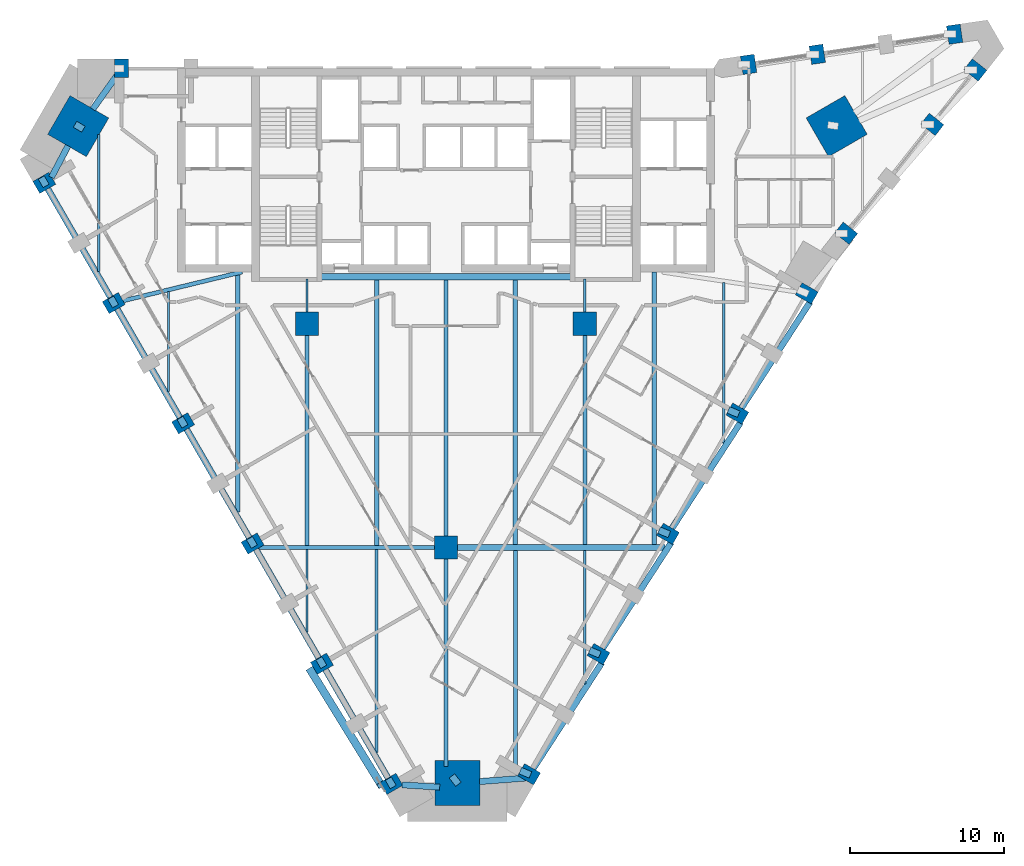
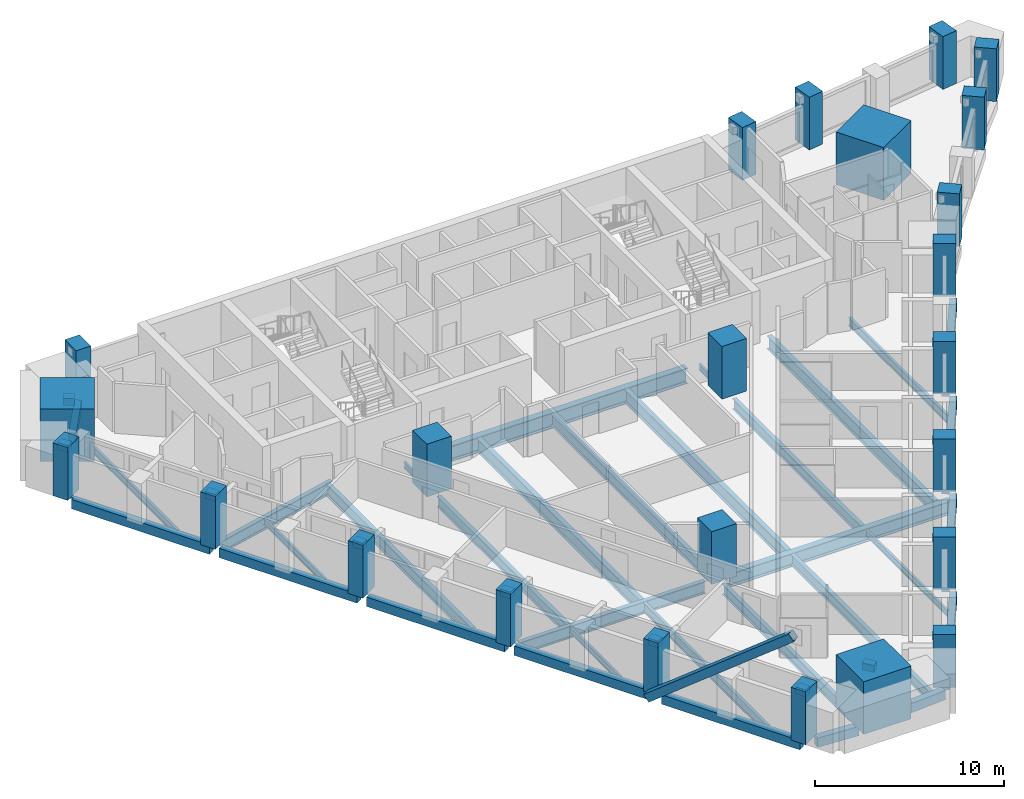
# One storey, part 1 of 11: 46 beams, 24 columns, 1 member.
"""IFC4 building model written with IfcOpenShell, lengths in metres."""

from ifc_helpers import new_model, si_unit, direction, frame, origin, origin_2d, place, context, subcontext, project, spatial, rectangle, hollow_rectangle, i_section, extrude, material, material_profile, profile_set, type_object, element, save


model = new_model("IFC4")

# Units and contexts
model_context = context("Model", 3, precision=1e-05, world=origin(), true_north=direction((0.0, 1.0)))
body_context = subcontext(model_context, "Body", "Model", "MODEL_VIEW")
ifc_project = project(units=[si_unit("LENGTHUNIT", "METRE"), si_unit("AREAUNIT", "SQUARE_METRE"), si_unit("VOLUMEUNIT", "CUBIC_METRE"), si_unit("PLANEANGLEUNIT", "RADIAN"), si_unit("MASSUNIT", "GRAM", prefix="KILO")], contexts=[model_context])

# Site, building, storey
site_placement = place(None, origin())
site = spatial("IfcSite", under=ifc_project, at=site_placement, CompositionType="ELEMENT")
building_placement = place(site_placement, origin())
building = spatial("IfcBuilding", under=site, at=building_placement, Name="Calabash Gate Tower", CompositionType="ELEMENT")
storey_placement = place(building_placement, frame((0.0, 0.0, 119.0)))
storey = spatial("IfcBuildingStorey", under=building, at=storey_placement, Name="L27", CompositionType="ELEMENT", Elevation=119.0)

# Columns
ifc_material_1 = material(Name="Concrete C80/95", Category="concrete")
ifc_material_profile_1 = material_profile(ifc_material_1, rectangle(XDim=1.5, YDim=1.5, at=origin_2d()))
ifc_profile_set_1 = profile_set([ifc_material_profile_1], Name="Concrete C80/95")
column_type_1 = type_object("IfcColumnType", Name="Interior column RC 1500x1500 Concrete C80/95", PredefinedType="COLUMN", material=ifc_profile_set_1)
for number, where, z_axis, x_axis, name in (
    (1, (-9.0, 2.5, 0.0), (0.0, 0.0, 1.0), (1.0, 0.0, 0.0), "Interior column L27 I0"),
    (2, (9.0, 2.5, 0.0), (0.0, 0.0, 1.0), (1.0, 0.0, 0.0), "Interior column L27 I1"),
    (3, (0.0, -12.0, 0.0), (0.0, 0.0, 1.0), (1.0, 0.0, 0.0), "Interior column L27 I2"),
):
    element("IfcColumn", number, at=place(storey_placement, frame(where, z_axis=z_axis, x_axis=x_axis)), inside=storey, type_object=column_type_1, Name=name, PredefinedType="COLUMN", context=body_context, shape_type="SweptSolid", body=[
        extrude(rectangle(XDim=1.5, YDim=1.5, at=origin_2d()), origin(), (0.0, 0.0, 1.0), 3.39990234375),
    ])
ifc_material_2 = material(Name="Concrete C80/95", Category="concrete")
ifc_material_profile_2 = material_profile(ifc_material_2, rectangle(XDim=2.89990234375, YDim=2.89990234375, at=origin_2d()))
ifc_profile_set_2 = profile_set([ifc_material_profile_2], Name="Concrete C80/95")
column_type_2 = type_object("IfcColumnType", Name="Mega column RC 2900x2900 Concrete C80/95", PredefinedType="COLUMN", material=ifc_profile_set_2)
for number, where, z_axis, x_axis, name in (
    (4, (-23.843017578125, 15.31298828125, 0.0), (0.0, 0.0, 1.0), (0.866025377604, -0.500000045345, 0.0), "Mega column L27 NW"),
    (5, (25.3291015625, 15.31298828125, 0.0), (0.0, 0.0, 1.0), (-0.866025377604, -0.500000045345, 0.0), "Mega column L27 NE"),
    (6, (0.742919921875, -27.27197265625, 0.0), (0.0, 0.0, 1.0), (0.0, 1.0, 0.0), "Mega column L27 S"),
):
    element("IfcColumn", number, at=place(storey_placement, frame(where, z_axis=z_axis, x_axis=x_axis)), inside=storey, type_object=column_type_2, Name=name, PredefinedType="COLUMN", context=body_context, shape_type="SweptSolid", body=[
        extrude(rectangle(XDim=2.89990234375, YDim=2.89990234375, at=origin_2d()), origin(), (0.0, 0.0, 1.0), 3.39990234375),
    ])
ifc_material_3 = material(Name="Concrete C70/85", Category="concrete")
ifc_material_profile_3 = material_profile(ifc_material_3, rectangle(XDim=0.89990234375, YDim=1.199951171875, at=origin_2d()))
ifc_profile_set_3 = profile_set([ifc_material_profile_3], Name="Concrete C70/85")
column_type_3 = type_object("IfcColumnType", Name="Perimeter column RC 900x1200 Concrete C70/85", PredefinedType="COLUMN", material=ifc_profile_set_3)
for number, where, z_axis, x_axis, name in (
    (7, (-26.0390625, 11.635986328125, 0.0), (0.0, 0.0, 1.0), (0.5, -0.866025403784, 0.0), "Perimeter column L27 P20"),
    (8, (-21.5390625, 3.842041015625, 0.0), (0.0, 0.0, 1.0), (0.5, -0.866025403784, 0.0), "Perimeter column L27 P00"),
    (9, (-17.0390625, -3.951904296875, 0.0), (0.0, 0.0, 1.0), (0.5, -0.866025403784, 0.0), "Perimeter column L27 P01"),
    (10, (-12.5390625, -11.7470703125, 0.0), (0.0, 0.0, 1.0), (0.5, -0.866025403784, 0.0), "Perimeter column L27 P02"),
    (11, (-8.0390625, -19.541015625, 0.0), (0.0, 0.0, 1.0), (0.5, -0.866025403784, 0.0), "Perimeter column L27 P03"),
    (12, (-3.5390625, -27.3330078125, 0.0), (0.0, 0.0, 1.0), (0.5, -0.866025403784, 0.0), "Perimeter column L27 P05"),
    (13, (5.386962890625, -26.7080078125, 0.0), (0.0, 0.0, 1.0), (0.5, 0.866025403784, 0.0), "Perimeter column L27 P08"),
    (14, (9.886962890625, -18.9140625, 0.0), (0.0, 0.0, 1.0), (0.5, 0.866025403784, 0.0), "Perimeter column L27 P09"),
    (15, (14.386962890625, -11.118896484375, 0.0), (0.0, 0.0, 1.0), (0.5, 0.866025403784, 0.0), "Perimeter column L27 P10"),
    (16, (18.886962890625, -3.322998046875, 0.0), (0.0, 0.0, 1.0), (0.5, 0.866025403784, 0.0), "Perimeter column L27 P11"),
    (17, (23.386962890625, 4.468994140625, 0.0), (0.0, 0.0, 1.0), (0.5, 0.866025403784, 0.0), "Perimeter column L27 P12"),
    (18, (25.943115234375, 8.366943359375, 0.0), (0.0, 0.0, 1.0), (0.620301172202, 0.784363726701, 0.0), "Perimeter column L27 P13"),
    (19, (31.52587890625, 15.424072265625, 0.0), (0.0, 0.0, 1.0), (0.620301172202, 0.784363726701, 0.0), "Perimeter column L27 P21"),
    (20, (34.31689453125, 18.9541015625, 0.0), (0.0, 0.0, 1.0), (0.620301172202, 0.784363726701, 0.0), "Perimeter column L27 P22"),
    (21, (32.97607421875, 21.27587890625, 0.0), (0.0, 0.0, 1.0), (-0.989429504293, -0.145014675236, 0.0), "Perimeter column L27 P23"),
    (22, (24.072021484375, 19.970947265625, 0.0), (0.0, 0.0, 1.0), (-0.989429504293, -0.145014675236, 0.0), "Perimeter column L27 P16"),
    (23, (19.618896484375, 19.318115234375, 0.0), (0.0, 0.0, 1.0), (-0.989429504293, -0.145014675236, 0.0), "Perimeter column L27 P24"),
    (24, (-21.032958984375, 19.052978515625, 0.0), (0.0, 0.0, 1.0), (-1.0, 0.0, 0.0), "Perimeter column L27 P17"),
):
    element("IfcColumn", number, at=place(storey_placement, frame(where, z_axis=z_axis, x_axis=x_axis)), inside=storey, type_object=column_type_3, Name=name, PredefinedType="COLUMN", context=body_context, shape_type="SweptSolid", body=[
        extrude(rectangle(XDim=0.89990234375, YDim=1.199951171875, at=origin_2d()), origin(), (0.0, 0.0, 1.0), 3.39990234375),
    ])

# Beams
ifc_material_4 = material(Name="Concrete C80/95", Category="concrete")
ifc_material_profile_4 = material_profile(ifc_material_4, rectangle(XDim=0.449951171875, YDim=0.449951171875, at=origin_2d()))
ifc_profile_set_4 = profile_set([ifc_material_profile_4], Name="Concrete C80/95")
beam_type_1 = type_object("IfcBeamType", Name="Column offset link RC 450x450 Concrete C80/95", PredefinedType="BEAM", material=ifc_profile_set_4)
beam_1_placement = place(storey_placement, frame((-23.50390625, 15.116943359375, 3.00390625), z_axis=(-0.86589493345, 0.500225913189, 0.0), x_axis=(-0.500225913189, -0.86589493345, 0.0)))
element("IfcBeam", 25, at=beam_1_placement, inside=storey, type_object=beam_type_1, Name="Column offset link L27 NW", PredefinedType="BEAM", context=body_context, shape_type="SweptSolid", body=[
    extrude(rectangle(XDim=0.449951171875, YDim=0.449951171875, at=origin_2d()), origin(), (0.0, 0.0, 1.0), 0.629638671875),
])
beam_2_placement = place(storey_placement, frame((-21.423095703125, 3.64111328125, 3.00390625), z_axis=(-0.49972245349, 0.866185586049, 0.0), x_axis=(-0.866185586049, -0.49972245349, 0.0)))
element("IfcBeam", 26, at=beam_2_placement, inside=storey, type_object=beam_type_1, Name="Column offset link L27 P00", PredefinedType="BEAM", context=body_context, shape_type="SweptSolid", body=[
    extrude(rectangle(XDim=0.449951171875, YDim=0.449951171875, at=origin_2d()), origin(), (0.0, 0.0, 1.0), 0.630126953125),
])
beam_3_placement = place(storey_placement, frame((-16.923095703125, -4.153076171875, 3.00390625), z_axis=(-0.499554821267, 0.866282275329, 0.0), x_axis=(-0.866282275329, -0.499554821267, 0.0)))
element("IfcBeam", 27, at=beam_3_placement, inside=storey, type_object=beam_type_1, Name="Column offset link L27 P01", PredefinedType="BEAM", context=body_context, shape_type="SweptSolid", body=[
    extrude(rectangle(XDim=0.449951171875, YDim=0.449951171875, at=origin_2d()), origin(), (0.0, 0.0, 1.0), 0.63037109375),
])
for number, where, z_axis, x_axis, name in (
    (28, (-12.423095703125, -11.947021484375, 3.00390625), (-0.500393920955, 0.865797853931, 0.0), (-0.865797853931, -0.500393920955, 0.0), "Column offset link L27 P02"),
    (29, (-7.923095703125, -19.740966796875, 3.00390625), (-0.500393920955, 0.865797853931, 0.0), (-0.865797853931, -0.500393920955, 0.0), "Column offset link L27 P03"),
):
    element("IfcBeam", number, at=place(storey_placement, frame(where, z_axis=z_axis, x_axis=x_axis)), inside=storey, type_object=beam_type_1, Name=name, PredefinedType="BEAM", context=body_context, shape_type="SweptSolid", body=[
        extrude(rectangle(XDim=0.449951171875, YDim=0.449951171875, at=origin_2d()), origin(), (0.0, 0.0, 1.0), 0.62939453125),
    ])
beam_4_placement = place(storey_placement, frame((-3.423095703125, -27.535888671875, 3.00390625), z_axis=(-0.49972245349, 0.866185586049, 0.0), x_axis=(-0.866185586049, -0.49972245349, 0.0)))
element("IfcBeam", 30, at=beam_4_placement, inside=storey, type_object=beam_type_1, Name="Column offset link L27 P05", PredefinedType="BEAM", context=body_context, shape_type="SweptSolid", body=[
    extrude(rectangle(XDim=0.449951171875, YDim=0.449951171875, at=origin_2d()), origin(), (0.0, 0.0, 1.0), 0.630126953125),
])
for number, where, z_axis, x_axis, name in (
    (31, (5.47900390625, -26.7470703125, 3.00390625), (-0.922112578583, 0.386921687709, 0.0), (-0.386921687709, -0.922112578583, 0.0), "Column offset link L27 P08"),
    (32, (9.97900390625, -18.951904296875, 3.00390625), (-0.922233326358, 0.386633795412, 0.0), (-0.386633795412, -0.922233326358, 0.0), "Column offset link L27 P09"),
    (33, (14.47900390625, -11.157958984375, 3.00390625), (-0.922112578583, 0.386921687709, 0.0), (-0.386921687709, -0.922112578583, 0.0), "Column offset link L27 P10"),
):
    element("IfcBeam", number, at=place(storey_placement, frame(where, z_axis=z_axis, x_axis=x_axis)), inside=storey, type_object=beam_type_1, Name=name, PredefinedType="BEAM", context=body_context, shape_type="SweptSolid", body=[
        extrude(rectangle(XDim=0.449951171875, YDim=0.449951171875, at=origin_2d()), origin(), (0.0, 0.0, 1.0), 0.72119140625),
    ])
beam_5_placement = place(storey_placement, frame((18.97900390625, -3.364013671875, 3.00390625), z_axis=(-0.9211445087, 0.389220752391, 0.0), x_axis=(-0.389220752391, -0.9211445087, 0.0)))
element("IfcBeam", 34, at=beam_5_placement, inside=storey, type_object=beam_type_1, Name="Column offset link L27 P11", PredefinedType="BEAM", context=body_context, shape_type="SweptSolid", body=[
    extrude(rectangle(XDim=0.449951171875, YDim=0.449951171875, at=origin_2d()), origin(), (0.0, 0.0, 1.0), 0.721923828125),
])
beam_6_placement = place(storey_placement, frame((-25.923095703125, 11.43701171875, 3.00390625), z_axis=(-0.501066892863, 0.865408556045, 0.0), x_axis=(-0.865408556045, -0.501066892863, 0.0)))
element("IfcBeam", 35, at=beam_6_placement, inside=storey, type_object=beam_type_1, Name="Column offset link L27 P20", PredefinedType="BEAM", context=body_context, shape_type="SweptSolid", body=[
    extrude(rectangle(XDim=0.449951171875, YDim=0.449951171875, at=origin_2d()), origin(), (0.0, 0.0, 1.0), 0.628662109375),
])
beam_7_placement = place(storey_placement, frame((0.806884765625, -27.35107421875, 3.00390625), z_axis=(-0.619459157491, 0.785028886221, 0.0), x_axis=(-0.785028886221, -0.619459157491, 0.0)))
element("IfcBeam", 36, at=beam_7_placement, inside=storey, type_object=beam_type_1, Name="Column offset link L27 S", PredefinedType="BEAM", context=body_context, shape_type="SweptSolid", body=[
    extrude(rectangle(XDim=0.449951171875, YDim=0.449951171875, at=origin_2d()), origin(), (0.0, 0.0, 1.0), 0.68408203125),
])
ifc_material_5 = material(Name="Concrete C60/75", Category="concrete")
ifc_material_profile_5 = material_profile(ifc_material_5, rectangle(XDim=0.39990234375, YDim=0.60009765625, at=origin_2d()))
ifc_profile_set_5 = profile_set([ifc_material_profile_5], Name="Concrete C60/75")
beam_type_2 = type_object("IfcBeamType", Name="Edge beam RC 400x600 Concrete C60/75", PredefinedType="BEAM", material=ifc_profile_set_5)
for number, where, z_axis, x_axis, name in (
    (37, (-16.821044921875, -4.330078125, -0.469970703125), (0.500025102917, -0.866010910123, 0.0), (0.866010910123, 0.500025102917, 0.0), "Edge beam L27 1"),
    (38, (-12.321044921875, -12.1240234375, -0.469970703125), (0.500025102917, -0.866010910123, 0.0), (0.866010910123, 0.500025102917, 0.0), "Edge beam L27 2"),
):
    element("IfcBeam", number, at=place(storey_placement, frame(where, z_axis=z_axis, x_axis=x_axis)), inside=storey, type_object=beam_type_2, Name=name, PredefinedType="BEAM", context=body_context, shape_type="SweptSolid", body=[
        extrude(rectangle(XDim=0.39990234375, YDim=0.60009765625, at=origin_2d()), origin(), (0.0, 0.0, 1.0), 8.42578125),
    ])
beam_8_placement = place(storey_placement, frame((-7.821044921875, -19.9189453125, -0.469970703125), z_axis=(0.500012556128, -0.866018154379, 0.0), x_axis=(0.866018154379, 0.500012556128, 0.0)))
element("IfcBeam", 39, at=beam_8_placement, inside=storey, type_object=beam_type_2, Name="Edge beam L27 3", PredefinedType="BEAM", context=body_context, shape_type="SweptSolid", body=[
    extrude(rectangle(XDim=0.39990234375, YDim=0.60009765625, at=origin_2d()), origin(), (0.0, 0.0, 1.0), 8.426025390625),
])
beam_9_placement = place(storey_placement, frame((-2.843017578125, -27.39111328125, -0.469970703125), z_axis=(0.998064232576, -0.062191540038, 0.0), x_axis=(0.062191540038, 0.998064232576, 0.0)))
element("IfcBeam", 40, at=beam_9_placement, inside=storey, type_object=beam_type_2, Name="Edge beam L27 4", PredefinedType="BEAM", context=body_context, shape_type="SweptSolid", body=[
    extrude(rectangle(XDim=0.39990234375, YDim=0.60009765625, at=origin_2d()), origin(), (0.0, 0.0, 1.0), 2.441650390625),
])
beam_10_placement = place(storey_placement, frame((2.177001953125, -27.181884765625, -0.469970703125), z_axis=(0.997030596331, 0.077006428172, 0.0), x_axis=(-0.077006428172, 0.997030596331, 0.0)))
element("IfcBeam", 41, at=beam_10_placement, inside=storey, type_object=beam_type_2, Name="Edge beam L27 5", PredefinedType="BEAM", context=body_context, shape_type="SweptSolid", body=[
    extrude(rectangle(XDim=0.39990234375, YDim=0.60009765625, at=origin_2d()), origin(), (0.0, 0.0, 1.0), 3.011962890625),
])
for number, where, z_axis, x_axis, name in (
    (42, (5.64697265625, -26.35595703125, -0.469970703125), (0.543627394435, 0.839326668241, 0.0), (-0.839326668241, 0.543627394435, 0.0), "Edge beam L27 6"),
    (43, (10.14697265625, -18.56201171875, -0.469970703125), (0.543627394435, 0.839326668241, 0.0), (-0.839326668241, 0.543627394435, 0.0), "Edge beam L27 7"),
):
    element("IfcBeam", number, at=place(storey_placement, frame(where, z_axis=z_axis, x_axis=x_axis)), inside=storey, type_object=beam_type_2, Name=name, PredefinedType="BEAM", context=body_context, shape_type="SweptSolid", body=[
        extrude(rectangle(XDim=0.39990234375, YDim=0.60009765625, at=origin_2d()), origin(), (0.0, 0.0, 1.0), 8.207763671875),
    ])
for number, where, z_axis, x_axis, name in (
    (44, (14.64697265625, -10.76806640625, -0.469970703125), (0.543559539771, 0.83937061345, 0.0), (-0.83937061345, 0.543559539771, 0.0), "Edge beam L27 8"),
    (45, (19.14697265625, -2.97412109375, -0.469970703125), (0.543559539771, 0.83937061345, 0.0), (-0.83937061345, 0.543559539771, 0.0), "Edge beam L27 9"),
):
    element("IfcBeam", number, at=place(storey_placement, frame(where, z_axis=z_axis, x_axis=x_axis)), inside=storey, type_object=beam_type_2, Name=name, PredefinedType="BEAM", context=body_context, shape_type="SweptSolid", body=[
        extrude(rectangle(XDim=0.39990234375, YDim=0.60009765625, at=origin_2d()), origin(), (0.0, 0.0, 1.0), 8.208740234375),
    ])
beam_11_placement = place(storey_placement, frame((-21.10302734375, 18.926025390625, -0.469970703125), z_axis=(-0.581312904664, -0.813680101066, 0.0), x_axis=(0.813680101066, -0.581312904664, 0.0)))
element("IfcBeam", 46, at=beam_11_placement, inside=storey, type_object=beam_type_2, Name="Edge beam L27 17", PredefinedType="BEAM", context=body_context, shape_type="SweptSolid", body=[
    extrude(rectangle(XDim=0.39990234375, YDim=0.60009765625, at=origin_2d()), origin(), (0.0, 0.0, 1.0), 3.091064453125),
])
beam_12_placement = place(storey_placement, frame((-24.5029296875, 14.0400390625, -0.469970703125), z_axis=(-0.465789865333, -0.88489536181, 0.0), x_axis=(0.88489536181, -0.465789865333, 0.0)))
element("IfcBeam", 47, at=beam_12_placement, inside=storey, type_object=beam_type_2, Name="Edge beam L27 18", PredefinedType="BEAM", context=body_context, shape_type="SweptSolid", body=[
    extrude(rectangle(XDim=0.39990234375, YDim=0.60009765625, at=origin_2d()), origin(), (0.0, 0.0, 1.0), 2.316650390625),
])
for number, where, z_axis, x_axis, name in (
    (48, (-25.821044921875, 11.258056640625, -0.469970703125), (0.500012556128, -0.866018154379, 0.0), (0.866018154379, 0.500012556128, 0.0), "Edge beam L27 19"),
    (49, (-21.321044921875, 3.464111328125, -0.469970703125), (0.500012556128, -0.866018154379, 0.0), (0.866018154379, 0.500012556128, 0.0), "Edge beam L27 20"),
):
    element("IfcBeam", number, at=place(storey_placement, frame(where, z_axis=z_axis, x_axis=x_axis)), inside=storey, type_object=beam_type_2, Name=name, PredefinedType="BEAM", context=body_context, shape_type="SweptSolid", body=[
        extrude(rectangle(XDim=0.39990234375, YDim=0.60009765625, at=origin_2d()), origin(), (0.0, 0.0, 1.0), 8.426025390625),
    ])
ifc_material_6 = material(Name="Steel ASTM A992 Gr50", Category="steel")
ifc_material_profile_6 = material_profile(ifc_material_6, i_section(OverallWidth=0.1396484375, OverallDepth=0.398681640625, WebThickness=0.00634765625, FlangeThickness=0.0087890625, FilletRadius=0.01025390625, at=origin_2d()))
ifc_profile_set_6 = profile_set([ifc_material_profile_6], Name="Steel ASTM A992 Gr50")
beam_type_3 = type_object("IfcBeamType", Name="Floor beam W16x26 ASTM A992 Gr50", PredefinedType="BEAM", material=ifc_profile_set_6)
beam_13_placement = place(storey_placement, frame((-18.0, -1.89990234375, -0.368896484375), z_axis=(0.0, 1.0, 0.0), x_axis=(-1.0, 0.0, 0.0)))
element("IfcBeam", 50, at=beam_13_placement, inside=storey, type_object=beam_type_3, Name="Floor beam L27 2", PredefinedType="BEAM", context=body_context, shape_type="SweptSolid", body=[
    extrude(i_section(OverallWidth=0.1396484375, OverallDepth=0.398681640625, WebThickness=0.00634765625, FlangeThickness=0.0087890625, FilletRadius=0.01025390625, at=origin_2d()), origin(), (0.0, 0.0, 1.0), 6.48388671875),
])
beam_14_placement = place(storey_placement, frame((-9.0, -17.488037109375, -0.368896484375), z_axis=(0.0, 1.0, 0.0), x_axis=(-1.0, 0.0, 0.0)))
element("IfcBeam", 51, at=beam_14_placement, inside=storey, type_object=beam_type_3, Name="Floor beam L27 4", PredefinedType="BEAM", context=body_context, shape_type="SweptSolid", body=[
    extrude(i_section(OverallWidth=0.1396484375, OverallDepth=0.398681640625, WebThickness=0.00634765625, FlangeThickness=0.0087890625, FilletRadius=0.01025390625, at=origin_2d()), origin(), (0.0, 0.0, 1.0), 5.35498046875),
])
beam_15_placement = place(storey_placement, frame((-9.0, 3.25, -0.368896484375), z_axis=(0.0, 1.0, 0.0), x_axis=(-1.0, 0.0, 0.0)))
element("IfcBeam", 52, at=beam_15_placement, inside=storey, type_object=beam_type_3, Name="Floor beam L27 6", PredefinedType="BEAM", context=body_context, shape_type="SweptSolid", body=[
    extrude(i_section(OverallWidth=0.1396484375, OverallDepth=0.398681640625, WebThickness=0.00634765625, FlangeThickness=0.0087890625, FilletRadius=0.01025390625, at=origin_2d()), origin(), (0.0, 0.0, 1.0), 2.153076171875),
])
beam_16_placement = place(storey_placement, frame((9.0, -20.842041015625, -0.368896484375), z_axis=(0.0, 1.0, 0.0), x_axis=(-1.0, 0.0, 0.0)))
element("IfcBeam", 53, at=beam_16_placement, inside=storey, type_object=beam_type_3, Name="Floor beam L27 13", PredefinedType="BEAM", context=body_context, shape_type="SweptSolid", body=[
    extrude(i_section(OverallWidth=0.1396484375, OverallDepth=0.398681640625, WebThickness=0.00634765625, FlangeThickness=0.0087890625, FilletRadius=0.01025390625, at=origin_2d()), origin(), (0.0, 0.0, 1.0), 8.64306640625),
])
beam_17_placement = place(storey_placement, frame((9.0, 3.25, -0.368896484375), z_axis=(0.0, 1.0, 0.0), x_axis=(-1.0, 0.0, 0.0)))
element("IfcBeam", 54, at=beam_17_placement, inside=storey, type_object=beam_type_3, Name="Floor beam L27 15", PredefinedType="BEAM", context=body_context, shape_type="SweptSolid", body=[
    extrude(i_section(OverallWidth=0.1396484375, OverallDepth=0.398681640625, WebThickness=0.00634765625, FlangeThickness=0.0087890625, FilletRadius=0.01025390625, at=origin_2d()), origin(), (0.0, 0.0, 1.0), 2.153076171875),
])
ifc_material_7 = material(Name="Steel ASTM A992 Gr50", Category="steel")
ifc_material_profile_7 = material_profile(ifc_material_7, i_section(OverallWidth=0.15234375, OverallDepth=0.44970703125, WebThickness=0.007568359375, FlangeThickness=0.0107421875, FilletRadius=0.01025390625, at=origin_2d()))
ifc_profile_set_7 = profile_set([ifc_material_profile_7], Name="Steel ASTM A992 Gr50")
beam_type_4 = type_object("IfcBeamType", Name="Floor beam W18x35 ASTM A992 Gr50", PredefinedType="BEAM", material=ifc_profile_set_7)
beam_18_placement = place(storey_placement, frame((-22.5, 5.89404296875, -0.39306640625), z_axis=(0.0, 1.0, 0.0), x_axis=(-1.0, 0.0, 0.0)))
element("IfcBeam", 55, at=beam_18_placement, inside=storey, type_object=beam_type_4, Name="Floor beam L27 1", PredefinedType="BEAM", context=body_context, shape_type="SweptSolid", body=[
    extrude(i_section(OverallWidth=0.15234375, OverallDepth=0.44970703125, WebThickness=0.007568359375, FlangeThickness=0.0107421875, FilletRadius=0.01025390625, at=origin_2d()), origin(), (0.0, 0.0, 1.0), 8.873046875),
])
ifc_material_8 = material(Name="Steel ASTM A992 Gr50", Category="steel")
ifc_material_profile_8 = material_profile(ifc_material_8, i_section(OverallWidth=0.166015625, OverallDepth=0.5283203125, WebThickness=0.009765625, FlangeThickness=0.013671875, FilletRadius=0.0126953125, at=origin_2d()))
ifc_profile_set_8 = profile_set([ifc_material_profile_8], Name="Steel ASTM A992 Gr50")
beam_type_5 = type_object("IfcBeamType", Name="Floor beam W21x50 ASTM A992 Gr50", PredefinedType="BEAM", material=ifc_profile_set_8)
beam_19_placement = place(storey_placement, frame((18.0, -5.2529296875, -0.43408203125), z_axis=(0.0, 1.0, 0.0), x_axis=(-1.0, 0.0, 0.0)))
element("IfcBeam", 56, at=beam_19_placement, inside=storey, type_object=beam_type_5, Name="Floor beam L27 17", PredefinedType="BEAM", context=body_context, shape_type="SweptSolid", body=[
    extrude(i_section(OverallWidth=0.166015625, OverallDepth=0.5283203125, WebThickness=0.009765625, FlangeThickness=0.013671875, FilletRadius=0.0126953125, at=origin_2d()), origin(), (0.0, 0.0, 1.0), 10.416015625),
])
ifc_material_9 = material(Name="Steel ASTM A992 Gr50", Category="steel")
ifc_material_profile_9 = material_profile(ifc_material_9, i_section(OverallWidth=0.1787109375, OverallDepth=0.60205078125, WebThickness=0.010986328125, FlangeThickness=0.014892578125, FilletRadius=0.0126953125, at=origin_2d()))
ifc_profile_set_9 = profile_set([ifc_material_profile_9], Name="Steel ASTM A992 Gr50")
beam_type_6 = type_object("IfcBeamType", Name="Floor beam W24x62 ASTM A992 Gr50", PredefinedType="BEAM", material=ifc_profile_set_9)
beam_20_placement = place(storey_placement, frame((-4.5, -25.282958984375, -0.470947265625), z_axis=(0.0, 1.0, 0.0), x_axis=(-1.0, 0.0, 0.0)))
element("IfcBeam", 57, at=beam_20_placement, inside=storey, type_object=beam_type_6, Name="Floor beam L27 7", PredefinedType="BEAM", context=body_context, shape_type="SweptSolid", body=[
    extrude(i_section(OverallWidth=0.1787109375, OverallDepth=0.60205078125, WebThickness=0.010986328125, FlangeThickness=0.014892578125, FilletRadius=0.0126953125, at=origin_2d()), origin(), (0.0, 0.0, 1.0), 13.14990234375),
])
ifc_material_10 = material(Name="Steel ASTM A992 Gr50", Category="steel")
ifc_material_profile_10 = material_profile(ifc_material_10, i_section(OverallWidth=0.25390625, OverallDepth=0.67822265625, WebThickness=0.01171875, FlangeThickness=0.016357421875, FilletRadius=0.01513671875, at=origin_2d()))
ifc_profile_set_10 = profile_set([ifc_material_profile_10], Name="Steel ASTM A992 Gr50")
beam_type_7 = type_object("IfcBeamType", Name="Floor beam W27x84 ASTM A992 Gr50", PredefinedType="BEAM", material=ifc_profile_set_10)
beam_21_placement = place(storey_placement, frame((-9.0, -11.866943359375, -0.509033203125), z_axis=(0.0, 1.0, 0.0), x_axis=(-1.0, 0.0, 0.0)))
element("IfcBeam", 58, at=beam_21_placement, inside=storey, type_object=beam_type_7, Name="Floor beam L27 5", PredefinedType="BEAM", context=body_context, shape_type="SweptSolid", body=[
    extrude(i_section(OverallWidth=0.25390625, OverallDepth=0.67822265625, WebThickness=0.01171875, FlangeThickness=0.016357421875, FilletRadius=0.01513671875, at=origin_2d()), origin(), (0.0, 0.0, 1.0), 13.616943359375),
])
beam_22_placement = place(storey_placement, frame((0.0, -26.194091796875, -0.509033203125), z_axis=(0.0, 1.0, 0.0), x_axis=(-1.0, 0.0, 0.0)))
element("IfcBeam", 59, at=beam_22_placement, inside=storey, type_object=beam_type_7, Name="Floor beam L27 9", PredefinedType="BEAM", context=body_context, shape_type="SweptSolid", body=[
    extrude(i_section(OverallWidth=0.25390625, OverallDepth=0.67822265625, WebThickness=0.01171875, FlangeThickness=0.016357421875, FilletRadius=0.01513671875, at=origin_2d()), origin(), (0.0, 0.0, 1.0), 13.444091796875),
])
beam_23_placement = place(storey_placement, frame((4.5, -26.823974609375, -0.509033203125), z_axis=(0.0, 1.0, 0.0), x_axis=(-1.0, 0.0, 0.0)))
element("IfcBeam", 60, at=beam_23_placement, inside=storey, type_object=beam_type_7, Name="Floor beam L27 11", PredefinedType="BEAM", context=body_context, shape_type="SweptSolid", body=[
    extrude(i_section(OverallWidth=0.25390625, OverallDepth=0.67822265625, WebThickness=0.01171875, FlangeThickness=0.016357421875, FilletRadius=0.01513671875, at=origin_2d()), origin(), (0.0, 0.0, 1.0), 14.625),
])
beam_24_placement = place(storey_placement, frame((9.0, -11.801025390625, -0.509033203125), z_axis=(0.0, 1.0, 0.0), x_axis=(-1.0, 0.0, 0.0)))
element("IfcBeam", 61, at=beam_24_placement, inside=storey, type_object=beam_type_7, Name="Floor beam L27 14", PredefinedType="BEAM", context=body_context, shape_type="SweptSolid", body=[
    extrude(i_section(OverallWidth=0.25390625, OverallDepth=0.67822265625, WebThickness=0.01171875, FlangeThickness=0.016357421875, FilletRadius=0.01513671875, at=origin_2d()), origin(), (0.0, 0.0, 1.0), 13.551025390625),
])
ifc_material_11 = material(Name="Steel ASTM A992 Gr50", Category="steel")
ifc_material_profile_11 = material_profile(ifc_material_11, i_section(OverallWidth=0.2666015625, OverallDepth=0.7568359375, WebThickness=0.013916015625, FlangeThickness=0.019287109375, FilletRadius=0.0166015625, at=origin_2d()))
ifc_profile_set_11 = profile_set([ifc_material_profile_11], Name="Steel ASTM A992 Gr50")
beam_type_8 = type_object("IfcBeamType", Name="Floor beam W30x108 ASTM A992 Gr50", PredefinedType="BEAM", material=ifc_profile_set_11)
beam_25_placement = place(storey_placement, frame((-13.5, -9.694091796875, -0.548095703125), z_axis=(0.0, 1.0, 0.0), x_axis=(-1.0, 0.0, 0.0)))
element("IfcBeam", 62, at=beam_25_placement, inside=storey, type_object=beam_type_8, Name="Floor beam L27 3", PredefinedType="BEAM", context=body_context, shape_type="SweptSolid", body=[
    extrude(i_section(OverallWidth=0.2666015625, OverallDepth=0.7568359375, WebThickness=0.013916015625, FlangeThickness=0.019287109375, FilletRadius=0.0166015625, at=origin_2d()), origin(), (0.0, 0.0, 1.0), 15.3681640625),
])
beam_26_placement = place(storey_placement, frame((0.0, -11.25, -0.548095703125), z_axis=(0.0, 1.0, 0.0), x_axis=(-1.0, 0.0, 0.0)))
element("IfcBeam", 63, at=beam_26_placement, inside=storey, type_object=beam_type_8, Name="Floor beam L27 10", PredefinedType="BEAM", context=body_context, shape_type="SweptSolid", body=[
    extrude(i_section(OverallWidth=0.2666015625, OverallDepth=0.7568359375, WebThickness=0.013916015625, FlangeThickness=0.019287109375, FilletRadius=0.0166015625, at=origin_2d()), origin(), (0.0, 0.0, 1.0), 16.60205078125),
])
ifc_material_12 = material(Name="Steel ASTM A992 Gr50", Category="steel")
ifc_material_profile_12 = material_profile(ifc_material_12, i_section(OverallWidth=0.2919921875, OverallDepth=0.845703125, WebThickness=0.015380859375, FlangeThickness=0.0244140625, FilletRadius=0.017822265625, at=origin_2d()))
ifc_profile_set_12 = profile_set([ifc_material_profile_12], Name="Steel ASTM A992 Gr50")
beam_type_9 = type_object("IfcBeamType", Name="Floor beam W33x141 ASTM A992 Gr50", PredefinedType="BEAM", material=ifc_profile_set_12)
beam_27_placement = place(storey_placement, frame((-4.5, -11.866943359375, -0.593017578125), z_axis=(0.0, 1.0, 0.0), x_axis=(-1.0, 0.0, 0.0)))
element("IfcBeam", 64, at=beam_27_placement, inside=storey, type_object=beam_type_9, Name="Floor beam L27 8", PredefinedType="BEAM", context=body_context, shape_type="SweptSolid", body=[
    extrude(i_section(OverallWidth=0.2919921875, OverallDepth=0.845703125, WebThickness=0.015380859375, FlangeThickness=0.0244140625, FilletRadius=0.017822265625, at=origin_2d()), origin(), (0.0, 0.0, 1.0), 17.218994140625),
])
beam_28_placement = place(storey_placement, frame((4.5, -11.801025390625, -0.593017578125), z_axis=(0.0, 1.0, 0.0), x_axis=(-1.0, 0.0, 0.0)))
element("IfcBeam", 65, at=beam_28_placement, inside=storey, type_object=beam_type_9, Name="Floor beam L27 12", PredefinedType="BEAM", context=body_context, shape_type="SweptSolid", body=[
    extrude(i_section(OverallWidth=0.2919921875, OverallDepth=0.845703125, WebThickness=0.015380859375, FlangeThickness=0.0244140625, FilletRadius=0.017822265625, at=origin_2d()), origin(), (0.0, 0.0, 1.0), 17.153076171875),
])
beam_29_placement = place(storey_placement, frame((13.5, -11.801025390625, -0.593017578125), z_axis=(0.0, 1.0, 0.0), x_axis=(-1.0, 0.0, 0.0)))
element("IfcBeam", 66, at=beam_29_placement, inside=storey, type_object=beam_type_9, Name="Floor beam L27 16", PredefinedType="BEAM", context=body_context, shape_type="SweptSolid", body=[
    extrude(i_section(OverallWidth=0.2919921875, OverallDepth=0.845703125, WebThickness=0.015380859375, FlangeThickness=0.0244140625, FilletRadius=0.017822265625, at=origin_2d()), origin(), (0.0, 0.0, 1.0), 17.654052734375),
])
ifc_material_13 = material(Name="Steel ASTM A992 Gr50", Category="steel")
ifc_material_profile_13 = material_profile(ifc_material_13, i_section(OverallWidth=0.2666015625, OverallDepth=0.77978515625, WebThickness=0.0166015625, FlangeThickness=0.030029296875, FilletRadius=0.0166015625, at=origin_2d()))
ifc_profile_set_13 = profile_set([ifc_material_profile_13], Name="Steel ASTM A992 Gr50")
beam_type_10 = type_object("IfcBeamType", Name="Girder W30x148 ASTM A992 Gr50", PredefinedType="BEAM", material=ifc_profile_set_13)
beam_30_placement = place(storey_placement, frame((-20.9619140625, 3.98193359375, -0.56005859375), z_axis=(0.971895153152, 0.235414127189, 0.0), x_axis=(-0.235414127189, 0.971895153152, 0.0)))
element("IfcBeam", 67, at=beam_30_placement, inside=storey, type_object=beam_type_10, Name="Girder L27 2", PredefinedType="BEAM", context=body_context, shape_type="SweptSolid", body=[
    extrude(i_section(OverallWidth=0.2666015625, OverallDepth=0.77978515625, WebThickness=0.0166015625, FlangeThickness=0.030029296875, FilletRadius=0.0166015625, at=origin_2d()), origin(), (0.0, 0.0, 1.0), 7.96875),
])
beam_31_placement = place(storey_placement, frame((-12.10205078125, -12.0, -0.56005859375), z_axis=(1.0, 0.0, 0.0), x_axis=(0.0, 1.0, 0.0)))
element("IfcBeam", 68, at=beam_31_placement, inside=storey, type_object=beam_type_10, Name="Girder L27 4", PredefinedType="BEAM", context=body_context, shape_type="SweptSolid", body=[
    extrude(i_section(OverallWidth=0.2666015625, OverallDepth=0.77978515625, WebThickness=0.0166015625, FlangeThickness=0.030029296875, FilletRadius=0.0166015625, at=origin_2d()), origin(), (0.0, 0.0, 1.0), 11.35205078125),
])
ifc_material_14 = material(Name="Steel ASTM A992 Gr50", Category="steel")
ifc_material_profile_14 = material_profile(ifc_material_14, i_section(OverallWidth=0.398681640625, OverallDepth=0.85595703125, WebThickness=0.018310546875, FlangeThickness=0.029296875, FilletRadius=0.02001953125, at=origin_2d()))
ifc_profile_set_14 = profile_set([ifc_material_profile_14], Name="Steel ASTM A992 Gr50")
beam_type_11 = type_object("IfcBeamType", Name="Girder W33x201 ASTM A992 Gr50", PredefinedType="BEAM", material=ifc_profile_set_14)
beam_32_placement = place(storey_placement, frame((0.75, -12.0, -0.597900390625), z_axis=(1.0, 0.0, 0.0), x_axis=(0.0, 1.0, 0.0)))
element("IfcBeam", 69, at=beam_32_placement, inside=storey, type_object=beam_type_11, Name="Girder L27 5", PredefinedType="BEAM", context=body_context, shape_type="SweptSolid", body=[
    extrude(i_section(OverallWidth=0.398681640625, OverallDepth=0.85595703125, WebThickness=0.018310546875, FlangeThickness=0.029296875, FilletRadius=0.02001953125, at=origin_2d()), origin(), (0.0, 0.0, 1.0), 13.43896484375),
])
ifc_material_15 = material(Name="Steel ASTM A992 Gr50", Category="steel")
ifc_material_profile_15 = material_profile(ifc_material_15, i_section(OverallWidth=0.4013671875, OverallDepth=1.000732421875, WebThickness=0.01904296875, FlangeThickness=0.0361328125, FilletRadius=0.030029296875, at=origin_2d()))
ifc_profile_set_15 = profile_set([ifc_material_profile_15], Name="Steel ASTM A992 Gr50")
beam_type_12 = type_object("IfcBeamType", Name="Girder W40x249 ASTM A992 Gr50", PredefinedType="BEAM", material=ifc_profile_set_15)
beam_33_placement = place(storey_placement, frame((-8.25, 5.552978515625, -0.669921875), z_axis=(1.0, 0.0, 0.0), x_axis=(0.0, 1.0, 0.0)))
element("IfcBeam", 70, at=beam_33_placement, inside=storey, type_object=beam_type_12, Name="Girder L27 1", PredefinedType="BEAM", context=body_context, shape_type="SweptSolid", body=[
    extrude(i_section(OverallWidth=0.4013671875, OverallDepth=1.000732421875, WebThickness=0.01904296875, FlangeThickness=0.0361328125, FilletRadius=0.030029296875, at=origin_2d()), origin(), (0.0, 0.0, 1.0), 16.5),
])

# Member
ifc_material_16 = material(Name="Steel ASTM A500 Gr C", Category="steel")
ifc_material_profile_16 = material_profile(ifc_material_16, hollow_rectangle(XDim=0.508056640625, YDim=0.508056640625, WallThickness=0.01904296875, at=origin_2d()))
ifc_profile_set_16 = profile_set([ifc_material_profile_16], Name="Steel ASTM A500 Gr C")
member_type = type_object("IfcMemberType", Name="Mega-brace HSS20X20X.750 ASTM A500 Gr C", PredefinedType="BRACE", material=ifc_profile_set_16)
member_placement = place(storey_placement, frame((-8.778564453125, -19.9677734375, 0.0), z_axis=(0.413020233296, -0.671179979931, 0.615574302118), x_axis=(0.851666019665, 0.524084908147, 0.0)))
element("IfcMember", 71, at=member_placement, inside=storey, type_object=member_type, Name="Mega-brace SW Z2 15", PredefinedType="BRACE", context=body_context, shape_type="SweptSolid", body=[
    extrude(hollow_rectangle(XDim=0.508056640625, YDim=0.508056640625, WallThickness=0.01904296875, at=origin_2d()), origin(), (0.0, 0.0, 1.0), 11.046630859375),
])

save(model, "model.ifc")
